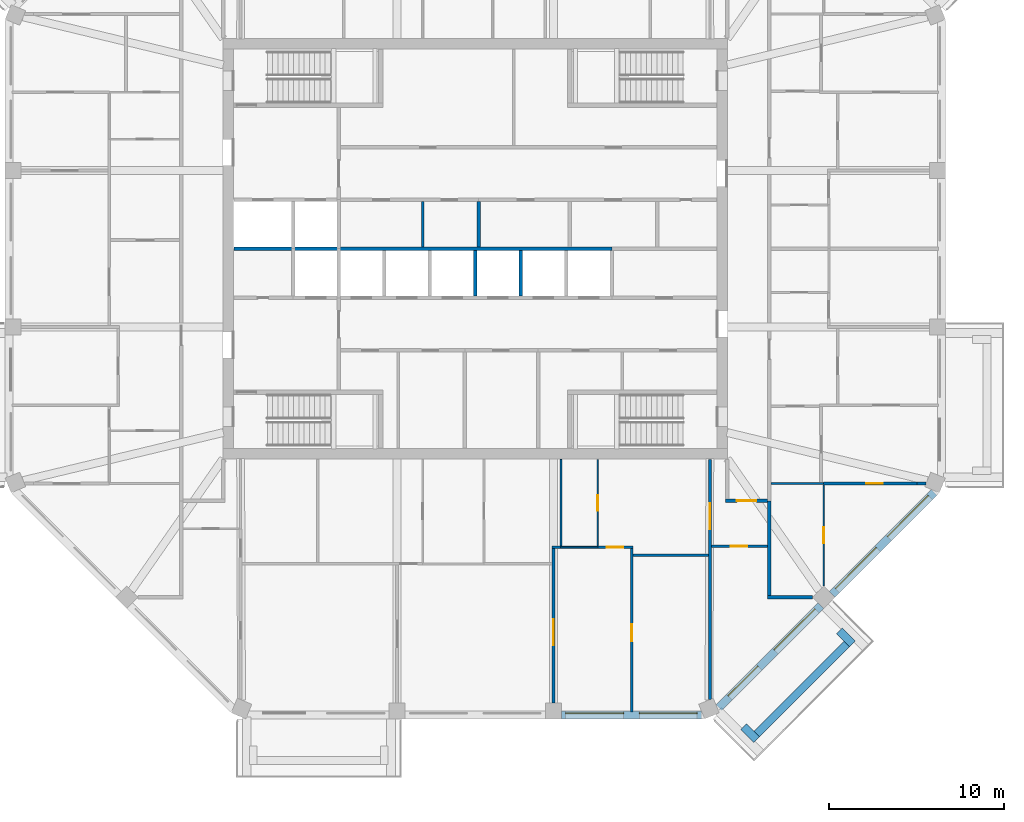
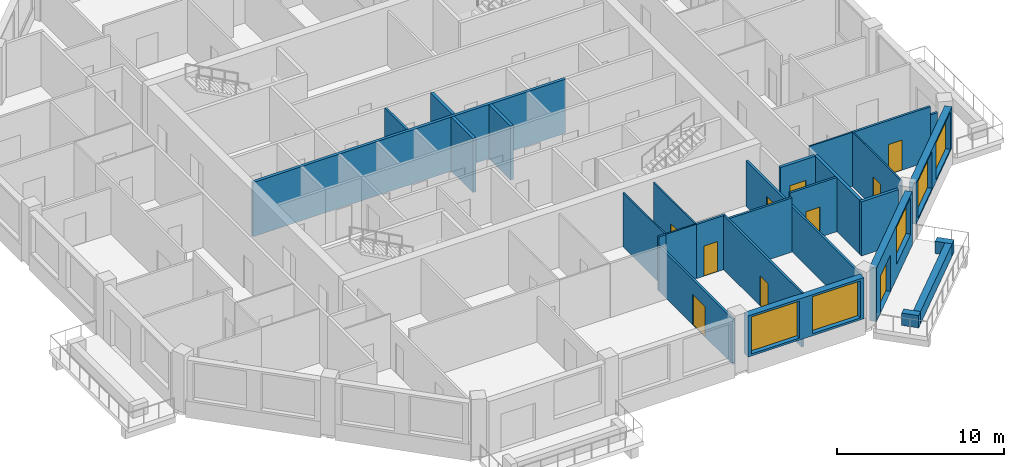
# One storey, part 5 of 11: 28 walls, 10 doors, 5 windows, 15 openings.
"""IFC4 building model written with IfcOpenShell, lengths in metres."""

from ifc_helpers import new_model, si_unit, direction, frame, frame_2d, origin, place, context, subcontext, project, spatial, rectangle, extrude, material, layer, layer_set, type_object, element, fill, save


model = new_model("IFC4")

# Units and contexts
model_context = context("Model", 3, precision=1e-05, world=origin(), true_north=direction((0.0, 1.0)))
body_context = subcontext(model_context, "Body", "Model", "MODEL_VIEW")
ifc_project = project(units=[si_unit("LENGTHUNIT", "METRE"), si_unit("AREAUNIT", "SQUARE_METRE"), si_unit("VOLUMEUNIT", "CUBIC_METRE"), si_unit("PLANEANGLEUNIT", "RADIAN"), si_unit("MASSUNIT", "GRAM", prefix="KILO")], contexts=[model_context])

# Site, building, storey
site_placement = place(None, origin())
site = spatial("IfcSite", under=ifc_project, at=site_placement, CompositionType="ELEMENT")
building_placement = place(site_placement, origin())
building = spatial("IfcBuilding", under=site, at=building_placement, Name="Msitu Wima Residences", CompositionType="ELEMENT")
storey_placement = place(building_placement, frame((0.0, 0.0, 260.10009765625)))
storey = spatial("IfcBuildingStorey", under=building, at=storey_placement, Name="L60", CompositionType="ELEMENT", Elevation=260.10009765625)

# Walls
ifc_material_1 = material(Name="Facing brick")
ifc_layer_1 = layer(ifc_material_1, 0.06494140625, Name="Facing brick")
ifc_material_2 = material(Name="Concrete C40/50", Category="concrete")
ifc_layer_2 = layer(ifc_material_2, 0.156005859375, Name="Concrete C40/50")
ifc_material_3 = material(Name="Waterproofing membrane")
ifc_layer_3 = layer(ifc_material_3, 0.00390625, Name="Waterproofing membrane")
ifc_material_4 = material(Name="Planting soil and planting")
ifc_layer_4 = layer(ifc_material_4, 0.22509765625, Name="Planting soil and planting")
ifc_layer_set_1 = layer_set([ifc_layer_1, ifc_layer_2, ifc_layer_3, ifc_layer_4], Name="Concrete C40/50")
wall_type_1 = type_object("IfcWallType", Name="Balcony planter PLANTER PL450", PredefinedType="USERDEFINED", material=ifc_layer_set_1)
wall_1_placement = place(storey_placement, frame((16.0751953125, -27.725830078125, 0.0), z_axis=(0.0, 0.0, 1.0), x_axis=(0.707106781187, 0.707106781187, 0.0)))
element("IfcWall", 1, at=wall_1_placement, inside=storey, type_object=wall_type_1, Name="Balcony planter SE0 L60", ObjectType="PLANTER", PredefinedType="USERDEFINED", context=body_context, shape_type="SweptSolid", body=[
    extrude(rectangle(XDim=7.288330078125, YDim=0.449951171875, at=frame_2d((3.64404296875, 0.0))), origin(), (0.0, 0.0, 1.0), 0.89990234375),
])
for number, where, z_axis, x_axis, name in (
    (2, (15.332763671875, -27.301513671875, 0.0), (0.0, 0.0, 1.0), (0.707106781187, -0.707106781187, 0.0), "Balcony planter SE0 L60"),
    (3, (20.804443359375, -21.829833984375, 0.0), (0.0, 0.0, 1.0), (0.707106781187, -0.707106781187, 0.0), "Balcony planter SE0 L60"),
):
    element("IfcWall", number, at=place(storey_placement, frame(where, z_axis=z_axis, x_axis=x_axis)), inside=storey, type_object=wall_type_1, Name=name, ObjectType="PLANTER", PredefinedType="USERDEFINED", context=body_context, shape_type="SweptSolid", body=[
        extrude(rectangle(XDim=1.050048828125, YDim=0.449951171875, at=frame_2d((0.52490234375, 0.0))), origin(), (0.0, 0.0, 1.0), 0.89990234375),
    ])

# Wall, openings, windows
ifc_material_5 = material(Name="Brick (red buff mix)", Category="masonry")
ifc_layer_5 = layer(ifc_material_5, 0.449951171875)
ifc_layer_set_2 = layer_set([ifc_layer_5], Name="Brick (red buff mix)")
wall_type_2 = type_object("IfcWallType", Name="Brick infill wall BW450", PredefinedType="SOLIDWALL", material=ifc_layer_set_2)
wall_2_placement = place(storey_placement, frame((4.918701171875, -26.625, 0.89990234375), z_axis=(0.0, 0.0, 1.0), x_axis=(1.0, 0.0, 0.0)))
wall_2 = element("IfcWall", 4, at=wall_2_placement, inside=storey, type_object=wall_type_2, Name="Brick infill wall L60 S2", PredefinedType="SOLIDWALL", context=body_context, shape_type="SweptSolid", body=[
    extrude(rectangle(XDim=8.0, YDim=0.449951171875, at=frame_2d((4.0, 0.0))), origin(), (0.0, 0.0, 1.0), 3.0),
])
opening_1_placement = place(wall_2_placement, frame((0.25, 0.0, 0.14990234375)))
opening_1 = element("IfcOpeningElement", 5, at=opening_1_placement, cuts=wall_2, Name="Opening W60-62.020", PredefinedType="OPENING", context=body_context, shape_type="SweptSolid", body=[
    extrude(rectangle(XDim=3.300048828125, YDim=2.699951171875, at=frame_2d((1.64990234375, 1.35009765625))), frame((0.0, 0.23486328125, 0.0), z_axis=(0.0, -1.0, 0.0), x_axis=(1.0, 0.0, 0.0)), (0.0, 0.0, 1.0), 0.469970703125),
])
opening_2_placement = place(wall_2_placement, frame((4.4501953125, 0.0, 0.14990234375)))
opening_2 = element("IfcOpeningElement", 6, at=opening_2_placement, cuts=wall_2, Name="Opening W60-62.021", PredefinedType="OPENING", context=body_context, shape_type="SweptSolid", body=[
    extrude(rectangle(XDim=3.300048828125, YDim=2.699951171875, at=frame_2d((1.64990234375, 1.35009765625))), frame((0.0, 0.23486328125, 0.0), z_axis=(0.0, -1.0, 0.0), x_axis=(1.0, 0.0, 0.0)), (0.0, 0.0, 1.0), 0.469970703125),
])
ifc_material_6 = material(Name="Anodised aluminium, bronze finish, clear low-emissivity double glazing", Category="aluminium")
window_type = type_object("IfcWindowType", Name="Window W3300x2700", PartitioningType="DOUBLE_PANEL_VERTICAL", PredefinedType="WINDOW", material=ifc_material_6)
window_1_placement = place(opening_1_placement, origin())
window_1 = element("IfcWindow", 7, at=window_1_placement, inside=storey, type_object=window_type, Name="Window L60 S2.1", OverallHeight=2.699951171875, OverallWidth=3.300048828125, PartitioningType="SINGLE_PANEL", PredefinedType="WINDOW", context=body_context, shape_type="SweptSolid", body=[
    extrude(rectangle(XDim=3.300048828125, YDim=2.699951171875, at=frame_2d((1.64990234375, 1.35009765625))), frame((0.0, 0.135009765625, 0.0), z_axis=(0.0, -1.0, 0.0), x_axis=(1.0, 0.0, 0.0)), (0.0, 0.0, 1.0), 0.06005859375),
])
fill(opening_1, window_1)
window_2_placement = place(opening_2_placement, origin())
window_2 = element("IfcWindow", 8, at=window_2_placement, inside=storey, type_object=window_type, Name="Window L60 S2.2", OverallHeight=2.699951171875, OverallWidth=3.300048828125, PartitioningType="SINGLE_PANEL", PredefinedType="WINDOW", context=body_context, shape_type="SweptSolid", body=[
    extrude(rectangle(XDim=3.300048828125, YDim=2.699951171875, at=frame_2d((1.64990234375, 1.35009765625))), frame((0.0, 0.135009765625, 0.0), z_axis=(0.0, -1.0, 0.0), x_axis=(1.0, 0.0, 0.0)), (0.0, 0.0, 1.0), 0.06005859375),
])
fill(opening_2, window_2)

# Wall, openings, door, window
wall_3_placement = place(storey_placement, frame((13.909423828125, -26.214599609375, 0.0), z_axis=(0.0, 0.0, 1.0), x_axis=(0.707106781187, 0.707106781187, 0.0)))
wall_3 = element("IfcWall", 9, at=wall_3_placement, inside=storey, type_object=wall_type_2, Name="Brick infill wall L60 SE0", PredefinedType="SOLIDWALL", context=body_context, shape_type="SweptSolid", body=[
    extrude(rectangle(XDim=8.251220703125, YDim=0.449951171875, at=frame_2d((4.12548828125, 0.0))), origin(), (0.0, 0.0, 1.0), 3.89990234375),
])
opening_3_placement = place(wall_3_placement, frame((0.86279296875, 0.0, 0.0)))
opening_3 = element("IfcOpeningElement", 10, at=opening_3_placement, cuts=wall_3, Name="Opening D60-62.006", PredefinedType="OPENING", context=body_context, shape_type="SweptSolid", body=[
    extrude(rectangle(XDim=2.39990234375, YDim=2.699951171875, at=frame_2d((1.199951171875, 1.35009765625))), frame((0.0, 0.23486328125, 0.0), z_axis=(0.0, -1.0, 0.0), x_axis=(1.0, 0.0, 0.0)), (0.0, 0.0, 1.0), 0.469970703125),
])
opening_4_placement = place(wall_3_placement, frame((4.57568359375, 0.0, 1.050048828125)))
opening_4 = element("IfcOpeningElement", 11, at=opening_4_placement, cuts=wall_3, Name="Opening W60-62.022", PredefinedType="OPENING", context=body_context, shape_type="SweptSolid", body=[
    extrude(rectangle(XDim=3.300048828125, YDim=2.699951171875, at=frame_2d((1.64990234375, 1.35009765625))), frame((0.0, 0.23486328125, 0.0), z_axis=(0.0, -1.0, 0.0), x_axis=(1.0, 0.0, 0.0)), (0.0, 0.0, 1.0), 0.469970703125),
])
door_type_1 = type_object("IfcDoorType", Name="Balcony door D2400x2700", OperationType="SLIDING_TO_LEFT", PredefinedType="DOOR", material=ifc_material_6)
door_1_placement = place(opening_3_placement, origin())
door_1 = element("IfcDoor", 12, at=door_1_placement, inside=storey, type_object=door_type_1, Name="Balcony door L60 SE0", OperationType="SINGLE_SWING_LEFT", OverallHeight=2.699951171875, OverallWidth=2.39990234375, PredefinedType="DOOR", context=body_context, shape_type="SweptSolid", body=[
    extrude(rectangle(XDim=2.39990234375, YDim=2.699951171875, at=frame_2d((1.199951171875, 1.35009765625))), frame((0.0, 0.1298828125, 0.0), z_axis=(0.0, -1.0, 0.0), x_axis=(1.0, 0.0, 0.0)), (0.0, 0.0, 1.0), 0.050048828125),
])
fill(opening_3, door_1)
window_3_placement = place(opening_4_placement, origin())
window_3 = element("IfcWindow", 13, at=window_3_placement, inside=storey, type_object=window_type, Name="Window L60 SE0.2", OverallHeight=2.699951171875, OverallWidth=3.300048828125, PartitioningType="SINGLE_PANEL", PredefinedType="WINDOW", context=body_context, shape_type="SweptSolid", body=[
    extrude(rectangle(XDim=3.300048828125, YDim=2.699951171875, at=frame_2d((1.64990234375, 1.35009765625))), frame((0.0, 0.135009765625, 0.0), z_axis=(0.0, -1.0, 0.0), x_axis=(1.0, 0.0, 0.0)), (0.0, 0.0, 1.0), 0.06005859375),
])
fill(opening_4, window_3)

# Wall, openings, windows
wall_4_placement = place(storey_placement, frame((20.380126953125, -19.743896484375, 0.89990234375), z_axis=(0.0, 0.0, 1.0), x_axis=(0.707106781187, 0.707106781187, 0.0)))
wall_4 = element("IfcWall", 14, at=wall_4_placement, inside=storey, type_object=wall_type_2, Name="Brick infill wall L60 SE1", PredefinedType="SOLIDWALL", context=body_context, shape_type="SweptSolid", body=[
    extrude(rectangle(XDim=8.251220703125, YDim=0.449951171875, at=frame_2d((4.12548828125, 0.0))), origin(), (0.0, 0.0, 1.0), 3.0),
])
opening_5_placement = place(wall_4_placement, frame((0.37548828125, 0.0, 0.14990234375)))
opening_5 = element("IfcOpeningElement", 15, at=opening_5_placement, cuts=wall_4, Name="Opening W60-62.023", PredefinedType="OPENING", context=body_context, shape_type="SweptSolid", body=[
    extrude(rectangle(XDim=3.300048828125, YDim=2.699951171875, at=frame_2d((1.64990234375, 1.35009765625))), frame((0.0, 0.23486328125, 0.0), z_axis=(0.0, -1.0, 0.0), x_axis=(1.0, 0.0, 0.0)), (0.0, 0.0, 1.0), 0.469970703125),
])
opening_6_placement = place(wall_4_placement, frame((4.57568359375, 0.0, 0.14990234375)))
opening_6 = element("IfcOpeningElement", 16, at=opening_6_placement, cuts=wall_4, Name="Opening W60-62.024", PredefinedType="OPENING", context=body_context, shape_type="SweptSolid", body=[
    extrude(rectangle(XDim=3.300048828125, YDim=2.699951171875, at=frame_2d((1.64990234375, 1.35009765625))), frame((0.0, 0.23486328125, 0.0), z_axis=(0.0, -1.0, 0.0), x_axis=(1.0, 0.0, 0.0)), (0.0, 0.0, 1.0), 0.469970703125),
])
window_4_placement = place(opening_5_placement, origin())
window_4 = element("IfcWindow", 17, at=window_4_placement, inside=storey, type_object=window_type, Name="Window L60 SE1.1", OverallHeight=2.699951171875, OverallWidth=3.300048828125, PartitioningType="SINGLE_PANEL", PredefinedType="WINDOW", context=body_context, shape_type="SweptSolid", body=[
    extrude(rectangle(XDim=3.300048828125, YDim=2.699951171875, at=frame_2d((1.64990234375, 1.35009765625))), frame((0.0, 0.135009765625, 0.0), z_axis=(0.0, -1.0, 0.0), x_axis=(1.0, 0.0, 0.0)), (0.0, 0.0, 1.0), 0.06005859375),
])
fill(opening_5, window_4)
window_5_placement = place(opening_6_placement, origin())
window_5 = element("IfcWindow", 18, at=window_5_placement, inside=storey, type_object=window_type, Name="Window L60 SE1.2", OverallHeight=2.699951171875, OverallWidth=3.300048828125, PartitioningType="SINGLE_PANEL", PredefinedType="WINDOW", context=body_context, shape_type="SweptSolid", body=[
    extrude(rectangle(XDim=3.300048828125, YDim=2.699951171875, at=frame_2d((1.64990234375, 1.35009765625))), frame((0.0, 0.135009765625, 0.0), z_axis=(0.0, -1.0, 0.0), x_axis=(1.0, 0.0, 0.0)), (0.0, 0.0, 1.0), 0.06005859375),
])
fill(opening_6, window_5)

# Wall, opening, door
ifc_material_7 = material(Name="Plaster")
ifc_layer_6 = layer(ifc_material_7, 0.011962890625, Name="Plaster")
ifc_material_8 = material(Name="Concrete blockwork", Category="masonry")
ifc_layer_7 = layer(ifc_material_8, 0.176025390625, Name="Concrete blockwork")
ifc_layer_8 = layer(ifc_material_7, 0.011962890625, Name="Plaster")
ifc_layer_set_3 = layer_set([ifc_layer_6, ifc_layer_7, ifc_layer_8], Name="Concrete blockwork")
wall_type_3 = type_object("IfcWallType", Name="Corridor wall FW200", PredefinedType="PARTITIONING", material=ifc_layer_set_3)
wall_5_placement = place(storey_placement, frame((14.300048828125, -14.39990234375, 0.0), z_axis=(0.0, 0.0, 1.0), x_axis=(1.0, 0.0, 0.0)))
wall_5 = element("IfcWall", 19, at=wall_5_placement, inside=storey, type_object=wall_type_3, Name="Corridor wall", PredefinedType="PARTITIONING", context=body_context, shape_type="SweptSolid", body=[
    extrude(rectangle(XDim=2.39990234375, YDim=0.199951171875, at=frame_2d((1.199951171875, 0.0))), origin(), (0.0, 0.0, 1.0), 3.949951171875),
])
opening_7_placement = place(wall_5_placement, frame((0.64990234375, 0.0, 0.0)))
opening_7 = element("IfcOpeningElement", 20, at=opening_7_placement, cuts=wall_5, Name="Opening D60-62.051", PredefinedType="OPENING", context=body_context, shape_type="SweptSolid", body=[
    extrude(rectangle(XDim=1.10009765625, YDim=2.39990234375, at=frame_2d((0.550048828125, 1.199951171875))), frame((0.0, 0.10986328125, 0.0), z_axis=(0.0, -1.0, 0.0), x_axis=(1.0, 0.0, 0.0)), (0.0, 0.0, 1.0), 0.219970703125),
])
ifc_material_9 = material(Name="Timber flush door, fire resisting, self-closing", Category="wood")
door_type_2 = type_object("IfcDoorType", Name="Flat entrance door D01 1100x2400", OperationType="SINGLE_SWING_LEFT", PredefinedType="DOOR", material=ifc_material_9)
door_2_placement = place(opening_7_placement, origin())
door_2 = element("IfcDoor", 21, at=door_2_placement, inside=storey, type_object=door_type_2, Name="Flat entrance door", OperationType="SINGLE_SWING_LEFT", OverallHeight=2.39990234375, OverallWidth=1.10009765625, PredefinedType="DOOR", context=body_context, shape_type="SweptSolid", body=[
    extrude(rectangle(XDim=1.10009765625, YDim=2.39990234375, at=frame_2d((0.550048828125, 1.199951171875))), frame((0.0, 0.02490234375, 0.0), z_axis=(0.0, -1.0, 0.0), x_axis=(1.0, 0.0, 0.0)), (0.0, 0.0, 1.0), 0.050048828125),
])
fill(opening_7, door_2)

# Wall
ifc_layer_9 = layer(ifc_material_7, 0.011962890625, Name="Plaster")
ifc_layer_10 = layer(ifc_material_8, 0.1259765625, Name="Concrete blockwork")
ifc_layer_11 = layer(ifc_material_7, 0.011962890625, Name="Plaster")
ifc_layer_set_4 = layer_set([ifc_layer_9, ifc_layer_10, ifc_layer_11], Name="Concrete blockwork")
wall_type_4 = type_object("IfcWallType", Name="Partition PW150", PredefinedType="PARTITIONING", material=ifc_layer_set_4)
wall_6_placement = place(storey_placement, frame((-3.0, 0.10009765625, 0.0), z_axis=(0.0, 0.0, 1.0), x_axis=(0.0, 1.0, 0.0)))
element("IfcWall", 22, at=wall_6_placement, inside=storey, type_object=wall_type_4, Name="Partition", PredefinedType="PARTITIONING", context=body_context, shape_type="SweptSolid", body=[
    extrude(rectangle(XDim=2.599853515625, YDim=0.14990234375, at=frame_2d((1.2998046875, 0.0))), origin(), (0.0, 0.0, 1.0), 3.949951171875),
])

# Wall, opening, door
wall_7_placement = place(storey_placement, frame((4.46875, -25.949951171875, 0.0), z_axis=(0.0, 0.0, 1.0), x_axis=(0.0, 1.0, 0.0)))
wall_7 = element("IfcWall", 23, at=wall_7_placement, inside=storey, type_object=wall_type_4, Name="Partition", PredefinedType="PARTITIONING", context=body_context, shape_type="SweptSolid", body=[
    extrude(rectangle(XDim=8.824951171875, YDim=0.14990234375, at=frame_2d((4.41259765625, 0.0))), origin(), (0.0, 0.0, 1.0), 3.2998046875),
])
opening_8_placement = place(wall_7_placement, frame((3.300048828125, 0.0, 0.0)))
opening_8 = element("IfcOpeningElement", 24, at=opening_8_placement, cuts=wall_7, Name="Opening D60-62.061", PredefinedType="OPENING", context=body_context, shape_type="SweptSolid", body=[
    extrude(rectangle(XDim=1.5, YDim=2.199951171875, at=frame_2d((0.75, 1.10009765625))), frame((0.0, 0.0849609375, 0.0), z_axis=(0.0, -1.0, 0.0), x_axis=(1.0, 0.0, 0.0)), (0.0, 0.0, 1.0), 0.169921875),
])
ifc_material_10 = material(Name="Timber double door", Category="wood")
door_type_3 = type_object("IfcDoorType", Name="Double door D04 1500x2200", OperationType="DOUBLE_DOOR_SINGLE_SWING", PredefinedType="DOOR", material=ifc_material_10)
door_3_placement = place(opening_8_placement, origin())
door_3 = element("IfcDoor", 25, at=door_3_placement, inside=storey, type_object=door_type_3, Name="Double door", OperationType="DOUBLE_DOOR_SINGLE_SWING", OverallHeight=2.199951171875, OverallWidth=1.5, PredefinedType="DOOR", context=body_context, shape_type="SweptSolid", body=[
    extrude(rectangle(XDim=1.5, YDim=2.199951171875, at=frame_2d((0.75, 1.10009765625))), frame((0.0, 0.02490234375, 0.0), z_axis=(0.0, -1.0, 0.0), x_axis=(1.0, 0.0, 0.0)), (0.0, 0.0, 1.0), 0.050048828125),
])
fill(opening_8, door_3)

# Wall
wall_8_placement = place(storey_placement, frame((4.3935546875, -17.050048828125, 0.0), z_axis=(0.0, 0.0, 1.0), x_axis=(1.0, 0.0, 0.0)))
element("IfcWall", 26, at=wall_8_placement, inside=storey, type_object=wall_type_4, Name="Partition", PredefinedType="PARTITIONING", context=body_context, shape_type="SweptSolid", body=[
    extrude(rectangle(XDim=0.486328125, YDim=0.14990234375, at=frame_2d((0.2431640625, 0.0))), origin(), (0.0, 0.0, 1.0), 3.949951171875),
])

# Wall, opening, door
wall_9_placement = place(storey_placement, frame((7.0, -17.050048828125, 0.0), z_axis=(0.0, 0.0, 1.0), x_axis=(1.0, 0.0, 0.0)))
wall_9 = element("IfcWall", 27, at=wall_9_placement, inside=storey, type_object=wall_type_4, Name="Partition", PredefinedType="PARTITIONING", context=body_context, shape_type="SweptSolid", body=[
    extrude(rectangle(XDim=2.01220703125, YDim=0.14990234375, at=frame_2d((1.006103515625, 0.0))), origin(), (0.0, 0.0, 1.0), 3.949951171875),
])
opening_9_placement = place(wall_9_placement, frame((0.5, 0.0, 0.0)))
opening_9 = element("IfcOpeningElement", 28, at=opening_9_placement, cuts=wall_9, Name="Opening D60-62.057", PredefinedType="OPENING", context=body_context, shape_type="SweptSolid", body=[
    extrude(rectangle(XDim=0.949951171875, YDim=2.199951171875, at=frame_2d((0.47509765625, 1.10009765625))), frame((0.0, 0.0849609375, 0.0), z_axis=(0.0, -1.0, 0.0), x_axis=(1.0, 0.0, 0.0)), (0.0, 0.0, 1.0), 0.169921875),
])
ifc_material_11 = material(Name="Timber flush door", Category="wood")
door_type_4 = type_object("IfcDoorType", Name="Room door D12 950x2200", OperationType="SINGLE_SWING_LEFT", PredefinedType="DOOR", material=ifc_material_11)
door_4_placement = place(opening_9_placement, origin())
door_4 = element("IfcDoor", 29, at=door_4_placement, inside=storey, type_object=door_type_4, Name="Room door", OperationType="SINGLE_SWING_LEFT", OverallHeight=2.199951171875, OverallWidth=0.949951171875, PredefinedType="DOOR", context=body_context, shape_type="SweptSolid", body=[
    extrude(rectangle(XDim=0.949951171875, YDim=2.199951171875, at=frame_2d((0.47509765625, 1.10009765625))), frame((0.0, 0.02490234375, 0.0), z_axis=(0.0, -1.0, 0.0), x_axis=(1.0, 0.0, 0.0)), (0.0, 0.0, 1.0), 0.050048828125),
])
fill(opening_9, door_4)

wall_10_placement = place(storey_placement, frame((8.937255859375, -26.455078125, 0.0), z_axis=(0.0, 0.0, 1.0), x_axis=(0.0, 1.0, 0.0)))
wall_10 = element("IfcWall", 30, at=wall_10_placement, inside=storey, type_object=wall_type_4, Name="Partition", PredefinedType="PARTITIONING", context=body_context, shape_type="SweptSolid", body=[
    extrude(rectangle(XDim=9.330078125, YDim=0.14990234375, at=frame_2d((4.6650390625, 0.0))), origin(), (0.0, 0.0, 1.0), 3.949951171875),
])
opening_10_placement = place(wall_10_placement, frame((4.050048828125, 0.0, 0.0)))
opening_10 = element("IfcOpeningElement", 31, at=opening_10_placement, cuts=wall_10, Name="Opening D60-62.058", PredefinedType="OPENING", context=body_context, shape_type="SweptSolid", body=[
    extrude(rectangle(XDim=0.949951171875, YDim=2.199951171875, at=frame_2d((0.47509765625, 1.10009765625))), frame((0.0, 0.0849609375, 0.0), z_axis=(0.0, -1.0, 0.0), x_axis=(1.0, 0.0, 0.0)), (0.0, 0.0, 1.0), 0.169921875),
])
door_5_placement = place(opening_10_placement, origin())
door_5 = element("IfcDoor", 32, at=door_5_placement, inside=storey, type_object=door_type_4, Name="Room door", OperationType="SINGLE_SWING_LEFT", OverallHeight=2.199951171875, OverallWidth=0.949951171875, PredefinedType="DOOR", context=body_context, shape_type="SweptSolid", body=[
    extrude(rectangle(XDim=0.949951171875, YDim=2.199951171875, at=frame_2d((0.47509765625, 1.10009765625))), frame((0.0, 0.02490234375, 0.0), z_axis=(0.0, -1.0, 0.0), x_axis=(1.0, 0.0, 0.0)), (0.0, 0.0, 1.0), 0.050048828125),
])
fill(opening_10, door_5)

# Wall
wall_11_placement = place(storey_placement, frame((9.01220703125, -17.5, 0.0), z_axis=(0.0, 0.0, 1.0), x_axis=(1.0, 0.0, 0.0)))
element("IfcWall", 33, at=wall_11_placement, inside=storey, type_object=wall_type_4, Name="Partition", PredefinedType="PARTITIONING", context=body_context, shape_type="SweptSolid", body=[
    extrude(rectangle(XDim=4.318603515625, YDim=0.14990234375, at=frame_2d((2.1591796875, 0.0))), origin(), (0.0, 0.0, 1.0), 3.949951171875),
])

# Wall, opening, door
wall_12_placement = place(storey_placement, frame((13.406005859375, -25.731201171875, 0.0), z_axis=(0.0, 0.0, 1.0), x_axis=(0.0, 1.0, 0.0)))
wall_12 = element("IfcWall", 34, at=wall_12_placement, inside=storey, type_object=wall_type_4, Name="Partition", PredefinedType="PARTITIONING", context=body_context, shape_type="SweptSolid", body=[
    extrude(rectangle(XDim=13.701171875, YDim=0.14990234375, at=frame_2d((6.8505859375, 0.0))), origin(), (0.0, 0.0, 1.0), 3.2998046875),
])
opening_11_placement = place(wall_12_placement, frame((9.699951171875, 0.0, 0.0)))
opening_11 = element("IfcOpeningElement", 35, at=opening_11_placement, cuts=wall_12, Name="Opening D60-62.052", PredefinedType="OPENING", context=body_context, shape_type="SweptSolid", body=[
    extrude(rectangle(XDim=1.5, YDim=2.199951171875, at=frame_2d((0.75, 1.10009765625))), frame((0.0, 0.0849609375, 0.0), z_axis=(0.0, -1.0, 0.0), x_axis=(1.0, 0.0, 0.0)), (0.0, 0.0, 1.0), 0.169921875),
])
door_6_placement = place(opening_11_placement, origin())
door_6 = element("IfcDoor", 36, at=door_6_placement, inside=storey, type_object=door_type_3, Name="Double door", OperationType="DOUBLE_DOOR_SINGLE_SWING", OverallHeight=2.199951171875, OverallWidth=1.5, PredefinedType="DOOR", context=body_context, shape_type="SweptSolid", body=[
    extrude(rectangle(XDim=1.5, YDim=2.199951171875, at=frame_2d((0.75, 1.10009765625))), frame((0.0, 0.02490234375, 0.0), z_axis=(0.0, -1.0, 0.0), x_axis=(1.0, 0.0, 0.0)), (0.0, 0.0, 1.0), 0.050048828125),
])
fill(opening_11, door_6)

wall_13_placement = place(storey_placement, frame((13.48095703125, -17.0, 0.0), z_axis=(0.0, 0.0, 1.0), x_axis=(1.0, 0.0, 0.0)))
wall_13 = element("IfcWall", 37, at=wall_13_placement, inside=storey, type_object=wall_type_4, Name="Partition", PredefinedType="PARTITIONING", context=body_context, shape_type="SweptSolid", body=[
    extrude(rectangle(XDim=3.218994140625, YDim=0.14990234375, at=frame_2d((1.609375, 0.0))), origin(), (0.0, 0.0, 1.0), 3.949951171875),
])
opening_12_placement = place(wall_13_placement, frame((1.10009765625, 0.0, 0.0)))
opening_12 = element("IfcOpeningElement", 38, at=opening_12_placement, cuts=wall_13, Name="Opening D60-62.059", PredefinedType="OPENING", context=body_context, shape_type="SweptSolid", body=[
    extrude(rectangle(XDim=0.949951171875, YDim=2.199951171875, at=frame_2d((0.47509765625, 1.10009765625))), frame((0.0, 0.0849609375, 0.0), z_axis=(0.0, -1.0, 0.0), x_axis=(1.0, 0.0, 0.0)), (0.0, 0.0, 1.0), 0.169921875),
])
door_7_placement = place(opening_12_placement, origin())
door_7 = element("IfcDoor", 39, at=door_7_placement, inside=storey, type_object=door_type_4, Name="Room door", OperationType="SINGLE_SWING_RIGHT", OverallHeight=2.199951171875, OverallWidth=0.949951171875, PredefinedType="DOOR", context=body_context, shape_type="SweptSolid", body=[
    extrude(rectangle(XDim=0.949951171875, YDim=2.199951171875, at=frame_2d((0.47509765625, 1.10009765625))), frame((0.0, 0.02490234375, 0.0), z_axis=(0.0, -1.0, 0.0), x_axis=(1.0, 0.0, 0.0)), (0.0, 0.0, 1.0), 0.050048828125),
])
fill(opening_12, door_7)

wall_14_placement = place(storey_placement, frame((19.883056640625, -13.406005859375, 0.0), z_axis=(0.0, 0.0, 1.0), x_axis=(1.0, 0.0, 0.0)))
wall_14 = element("IfcWall", 40, at=wall_14_placement, inside=storey, type_object=wall_type_4, Name="Partition", PredefinedType="PARTITIONING", context=body_context, shape_type="SweptSolid", body=[
    extrude(rectangle(XDim=5.341064453125, YDim=0.14990234375, at=frame_2d((2.67041015625, 0.0))), origin(), (0.0, 0.0, 1.0), 3.949951171875),
])
opening_13_placement = place(wall_14_placement, frame((2.449951171875, 0.0, 0.0)))
opening_13 = element("IfcOpeningElement", 41, at=opening_13_placement, cuts=wall_14, Name="Opening D60-62.014", PredefinedType="OPENING", context=body_context, shape_type="SweptSolid", body=[
    extrude(rectangle(XDim=0.949951171875, YDim=2.199951171875, at=frame_2d((0.47509765625, 1.10009765625))), frame((0.0, 0.0849609375, 0.0), z_axis=(0.0, -1.0, 0.0), x_axis=(1.0, 0.0, 0.0)), (0.0, 0.0, 1.0), 0.169921875),
])
door_8_placement = place(opening_13_placement, origin())
door_8 = element("IfcDoor", 42, at=door_8_placement, inside=storey, type_object=door_type_4, Name="Room door", OperationType="SINGLE_SWING_LEFT", OverallHeight=2.199951171875, OverallWidth=0.949951171875, PredefinedType="DOOR", context=body_context, shape_type="SweptSolid", body=[
    extrude(rectangle(XDim=0.949951171875, YDim=2.199951171875, at=frame_2d((0.47509765625, 1.10009765625))), frame((0.0, 0.02490234375, 0.0), z_axis=(0.0, -1.0, 0.0), x_axis=(1.0, 0.0, 0.0)), (0.0, 0.0, 1.0), 0.050048828125),
])
fill(opening_13, door_8)

# Walls
wall_15_placement = place(storey_placement, frame((25.22412109375, -13.406005859375, 0.0), z_axis=(0.0, 0.0, 1.0), x_axis=(1.0, 0.0, 0.0)))
element("IfcWall", 43, at=wall_15_placement, inside=storey, type_object=wall_type_4, Name="Partition", PredefinedType="PARTITIONING", context=body_context, shape_type="SweptSolid", body=[
    extrude(rectangle(XDim=0.507080078125, YDim=0.14990234375, at=frame_2d((0.25341796875, 0.0))), origin(), (0.0, 0.0, 1.0), 3.349853515625),
])
ifc_layer_12 = layer(ifc_material_7, 0.011962890625, Name="Plaster")
ifc_material_12 = material(Name="Dense concrete blockwork", Category="masonry")
ifc_layer_13 = layer(ifc_material_12, 0.176025390625, Name="Dense concrete blockwork")
ifc_layer_14 = layer(ifc_material_7, 0.011962890625, Name="Plaster")
ifc_layer_set_5 = layer_set([ifc_layer_12, ifc_layer_13, ifc_layer_14], Name="Dense concrete blockwork")
wall_type_5 = type_object("IfcWallType", Name="Party wall PW200", PredefinedType="PARTITIONING", material=ifc_layer_set_5)
wall_16_placement = place(storey_placement, frame((16.800048828125, -19.802978515625, 0.0), z_axis=(0.0, 0.0, 1.0), x_axis=(0.0, 1.0, 0.0)))
element("IfcWall", 44, at=wall_16_placement, inside=storey, type_object=wall_type_5, Name="Party wall", PredefinedType="PARTITIONING", context=body_context, shape_type="SweptSolid", body=[
    extrude(rectangle(XDim=5.403076171875, YDim=0.199951171875, at=frame_2d((2.70166015625, 0.0))), origin(), (0.0, 0.0, 1.0), 3.949951171875),
])
wall_17_placement = place(storey_placement, frame((16.699951171875, -19.90283203125, 0.0), z_axis=(0.0, 0.0, 1.0), x_axis=(1.0, 0.0, 0.0)))
element("IfcWall", 45, at=wall_17_placement, inside=storey, type_object=wall_type_5, Name="Party wall", PredefinedType="PARTITIONING", context=body_context, shape_type="SweptSolid", body=[
    extrude(rectangle(XDim=2.566650390625, YDim=0.199951171875, at=frame_2d((1.283203125, 0.0))), origin(), (0.0, 0.0, 1.0), 3.949951171875),
])
ifc_layer_15 = layer(ifc_material_7, 0.011962890625, Name="Plaster")
ifc_material_13 = material(Name="Reinforced concrete blockwork", Category="masonry")
ifc_layer_16 = layer(ifc_material_13, 0.176025390625, Name="Reinforced concrete blockwork")
ifc_layer_17 = layer(ifc_material_7, 0.011962890625, Name="Plaster")
ifc_layer_set_6 = layer_set([ifc_layer_15, ifc_layer_16, ifc_layer_17], Name="Reinforced concrete blockwork")
wall_type_6 = type_object("IfcWallType", Name="Plant and riser wall PL200", PredefinedType="PARTITIONING", material=ifc_layer_set_6)
wall_18_placement = place(storey_placement, frame((0.199951171875, 0.10009765625, 0.0), z_axis=(0.0, 0.0, 1.0), x_axis=(0.0, 1.0, 0.0)))
element("IfcWall", 46, at=wall_18_placement, inside=storey, type_object=wall_type_6, Name="Plant and riser wall", PredefinedType="PARTITIONING", context=body_context, shape_type="SweptSolid", body=[
    extrude(rectangle(XDim=2.599853515625, YDim=0.199951171875, at=frame_2d((1.2998046875, 0.0))), origin(), (0.0, 0.0, 1.0), 3.949951171875),
])
ifc_material_14 = material(Name="Fire-rated board")
ifc_layer_18 = layer(ifc_material_14, 0.02490234375, Name="Fire-rated board")
ifc_material_15 = material(Name="Light-gauge stud framing with mineral wool")
ifc_layer_19 = layer(ifc_material_15, 0.14990234375, Name="Light-gauge stud framing with mineral wool")
ifc_layer_20 = layer(ifc_material_14, 0.02490234375, Name="Fire-rated board")
ifc_layer_set_7 = layer_set([ifc_layer_18, ifc_layer_19, ifc_layer_20], Name="Light-gauge stud framing with mineral wool")
wall_type_7 = type_object("IfcWallType", Name="Shaft wall SH200", PredefinedType="PARTITIONING", material=ifc_layer_set_7)
wall_19_placement = place(storey_placement, frame((-13.77001953125, 0.0, 0.0), z_axis=(0.0, 0.0, 1.0), x_axis=(1.0, 0.0, 0.0)))
element("IfcWall", 47, at=wall_19_placement, inside=storey, type_object=wall_type_7, Name="Shaft wall", PredefinedType="PARTITIONING", context=body_context, shape_type="SweptSolid", body=[
    extrude(rectangle(XDim=21.570068359375, YDim=0.199951171875, at=frame_2d((10.78515625, 0.0))), origin(), (0.0, 0.0, 1.0), 3.949951171875),
])
for number, where, z_axis, x_axis, name in (
    (48, (0.0, -2.699951171875, 0.0), (0.0, 0.0, 1.0), (0.0, 1.0, 0.0), "Shaft wall"),
    (49, (2.60009765625, -2.699951171875, 0.0), (0.0, 0.0, 1.0), (0.0, 1.0, 0.0), "Shaft wall"),
):
    element("IfcWall", number, at=place(storey_placement, frame(where, z_axis=z_axis, x_axis=x_axis)), inside=storey, type_object=wall_type_7, Name=name, PredefinedType="PARTITIONING", context=body_context, shape_type="SweptSolid", body=[
        extrude(rectangle(XDim=2.599853515625, YDim=0.199951171875, at=frame_2d((1.2998046875, 0.0))), origin(), (0.0, 0.0, 1.0), 3.949951171875),
    ])
ifc_material_16 = material(Name="Ceramic tiles")
ifc_layer_21 = layer(ifc_material_16, 0.008056640625, Name="Ceramic tiles")
ifc_material_17 = material(Name="Moisture-resistant board")
ifc_layer_22 = layer(ifc_material_17, 0.012451171875, Name="Moisture-resistant board")
ifc_layer_23 = layer(ifc_material_15, 0.06689453125, Name="Light-gauge stud framing with mineral wool")
ifc_layer_24 = layer(ifc_material_17, 0.012451171875, Name="Moisture-resistant board")
ifc_layer_set_8 = layer_set([ifc_layer_21, ifc_layer_22, ifc_layer_23, ifc_layer_24], Name="Light-gauge stud framing with mineral wool")
wall_type_8 = type_object("IfcWallType", Name="Wet wall PW100", PredefinedType="PARTITIONING", material=ifc_layer_set_8)
wall_20_placement = place(storey_placement, frame((4.8798828125, -17.050048828125, 0.0), z_axis=(0.0, 0.0, 1.0), x_axis=(1.0, 0.0, 0.0)))
element("IfcWall", 50, at=wall_20_placement, inside=storey, type_object=wall_type_8, Name="Wet wall", PredefinedType="PARTITIONING", context=body_context, shape_type="SweptSolid", body=[
    extrude(rectangle(XDim=2.1201171875, YDim=0.10009765625, at=frame_2d((1.06005859375, 0.0))), origin(), (0.0, 0.0, 1.0), 3.949951171875),
])
wall_21_placement = place(storey_placement, frame((4.89990234375, -16.97509765625, 0.0), z_axis=(0.0, 0.0, 1.0), x_axis=(0.0, 1.0, 0.0)))
element("IfcWall", 51, at=wall_21_placement, inside=storey, type_object=wall_type_8, Name="Wet wall", PredefinedType="PARTITIONING", context=body_context, shape_type="SweptSolid", body=[
    extrude(rectangle(XDim=4.945068359375, YDim=0.10009765625, at=frame_2d((2.47265625, 0.0))), origin(), (0.0, 0.0, 1.0), 3.949951171875),
])

# Wall, opening, door
wall_22_placement = place(storey_placement, frame((7.0, -16.97509765625, 0.0), z_axis=(0.0, 0.0, 1.0), x_axis=(0.0, 1.0, 0.0)))
wall_22 = element("IfcWall", 52, at=wall_22_placement, inside=storey, type_object=wall_type_8, Name="Wet wall", PredefinedType="PARTITIONING", context=body_context, shape_type="SweptSolid", body=[
    extrude(rectangle(XDim=4.945068359375, YDim=0.10009765625, at=frame_2d((2.47265625, 0.0))), origin(), (0.0, 0.0, 1.0), 3.949951171875),
])
opening_14_placement = place(wall_22_placement, frame((2.0, 0.0, 0.0)))
opening_14 = element("IfcOpeningElement", 53, at=opening_14_placement, cuts=wall_22, Name="Opening D60-62.060", PredefinedType="OPENING", context=body_context, shape_type="SweptSolid", body=[
    extrude(rectangle(XDim=0.89990234375, YDim=2.199951171875, at=frame_2d((0.449951171875, 1.10009765625))), frame((0.0, 0.06005859375, 0.0), z_axis=(0.0, -1.0, 0.0), x_axis=(1.0, 0.0, 0.0)), (0.0, 0.0, 1.0), 0.1201171875),
])
ifc_material_18 = material(Name="Timber flush door, moisture resistant", Category="wood")
door_type_5 = type_object("IfcDoorType", Name="Bathroom door D03 900x2200", OperationType="SINGLE_SWING_LEFT", PredefinedType="DOOR", material=ifc_material_18)
door_9_placement = place(opening_14_placement, origin())
door_9 = element("IfcDoor", 54, at=door_9_placement, inside=storey, type_object=door_type_5, Name="Bathroom door", OperationType="SINGLE_SWING_LEFT", OverallHeight=2.199951171875, OverallWidth=0.89990234375, PredefinedType="DOOR", context=body_context, shape_type="SweptSolid", body=[
    extrude(rectangle(XDim=0.89990234375, YDim=2.199951171875, at=frame_2d((0.449951171875, 1.10009765625))), frame((0.0, 0.02490234375, 0.0), z_axis=(0.0, -1.0, 0.0), x_axis=(1.0, 0.0, 0.0)), (0.0, 0.0, 1.0), 0.050048828125),
])
fill(opening_14, door_9)

# Wall
wall_23_placement = place(storey_placement, frame((16.89990234375, -13.406005859375, 0.0), z_axis=(0.0, 0.0, 1.0), x_axis=(1.0, 0.0, 0.0)))
element("IfcWall", 55, at=wall_23_placement, inside=storey, type_object=wall_type_8, Name="Wet wall", PredefinedType="PARTITIONING", context=body_context, shape_type="SweptSolid", body=[
    extrude(rectangle(XDim=2.983154296875, YDim=0.10009765625, at=frame_2d((1.49169921875, 0.0))), origin(), (0.0, 0.0, 1.0), 3.949951171875),
])

# Wall, opening, door
wall_24_placement = place(storey_placement, frame((19.90283203125, -19.2666015625, 0.0), z_axis=(0.0, 0.0, 1.0), x_axis=(0.0, 1.0, 0.0)))
wall_24 = element("IfcWall", 56, at=wall_24_placement, inside=storey, type_object=wall_type_8, Name="Wet wall", PredefinedType="PARTITIONING", context=body_context, shape_type="SweptSolid", body=[
    extrude(rectangle(XDim=5.78564453125, YDim=0.10009765625, at=frame_2d((2.892822265625, 0.0))), origin(), (0.0, 0.0, 1.0), 3.949951171875),
])
opening_15_placement = place(wall_24_placement, frame((2.449951171875, 0.0, 0.0)))
opening_15 = element("IfcOpeningElement", 57, at=opening_15_placement, cuts=wall_24, Name="Opening D60-62.015", PredefinedType="OPENING", context=body_context, shape_type="SweptSolid", body=[
    extrude(rectangle(XDim=0.89990234375, YDim=2.199951171875, at=frame_2d((0.449951171875, 1.10009765625))), frame((0.0, 0.06005859375, 0.0), z_axis=(0.0, -1.0, 0.0), x_axis=(1.0, 0.0, 0.0)), (0.0, 0.0, 1.0), 0.1201171875),
])
door_10_placement = place(opening_15_placement, origin())
door_10 = element("IfcDoor", 58, at=door_10_placement, inside=storey, type_object=door_type_5, Name="Bathroom door", OperationType="SINGLE_SWING_RIGHT", OverallHeight=2.199951171875, OverallWidth=0.89990234375, PredefinedType="DOOR", context=body_context, shape_type="SweptSolid", body=[
    extrude(rectangle(XDim=0.89990234375, YDim=2.199951171875, at=frame_2d((0.449951171875, 1.10009765625))), frame((0.0, 0.02490234375, 0.0), z_axis=(0.0, -1.0, 0.0), x_axis=(1.0, 0.0, 0.0)), (0.0, 0.0, 1.0), 0.050048828125),
])
fill(opening_15, door_10)

save(model, "model.ifc")
